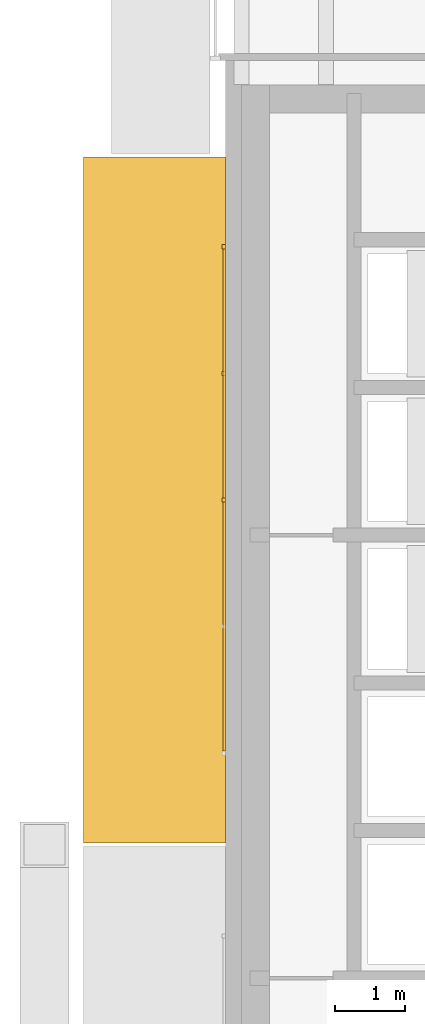
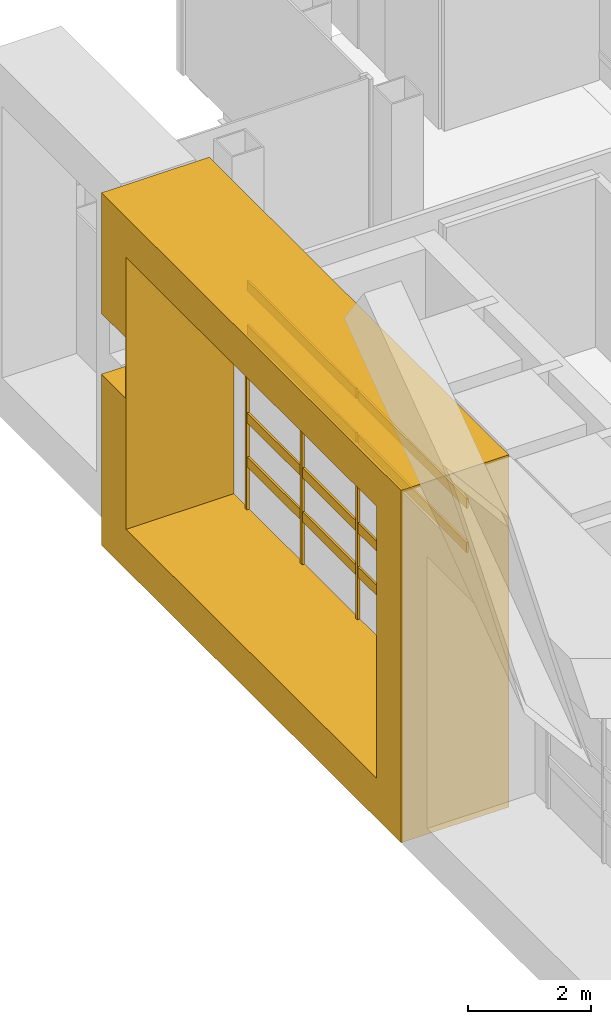
# One storey, part 17 of 21: 12 coverings.
"""IFC4 building model written with IfcOpenShell, lengths in metres."""

from ifc_helpers import new_model, si_unit, direction, frame, origin, origin_2d, place, context, subcontext, project, spatial, polyline, rectangle, outline, extrude, material, type_object, element, save


model = new_model("IFC4")

# Units and contexts
model_context = context("Model", 3, precision=1e-05, world=origin(), true_north=direction((0.0, 1.0)))
body_context = subcontext(model_context, "Body", "Model", "MODEL_VIEW")
ifc_project = project(units=[si_unit("LENGTHUNIT", "METRE"), si_unit("AREAUNIT", "SQUARE_METRE"), si_unit("VOLUMEUNIT", "CUBIC_METRE"), si_unit("PLANEANGLEUNIT", "RADIAN"), si_unit("MASSUNIT", "GRAM", prefix="KILO")], contexts=[model_context])

# Site, building, storey
site_placement = place(None, origin())
site = spatial("IfcSite", under=ifc_project, at=site_placement, CompositionType="ELEMENT")
building_placement = place(site_placement, origin())
building = spatial("IfcBuilding", under=site, at=building_placement, Name="Cobrizo Arcos Hotel Tower", CompositionType="ELEMENT")
storey_placement = place(building_placement, frame((0.0, 0.0, 276.0)))
storey = spatial("IfcBuildingStorey", under=building, at=storey_placement, Name="L73", CompositionType="ELEMENT", Elevation=276.0)

# Coverings
ifc_material_1 = material(Name="Aluminium 6063-T6 anodised bronze", Category="aluminium")
covering_type_1 = type_object("IfcCoveringType", Name="FIN-F 2025", PredefinedType="CLADDING", material=ifc_material_1)
covering_placement = place(storey_placement, frame((-20.625, 9.77490234375, 0.0), z_axis=(-1.0, 0.0, 0.0), x_axis=(0.0, -1.0, 0.0)))
element("IfcCovering", 1, at=covering_placement, inside=storey, type_object=covering_type_1, Name="Fin frame 444", PredefinedType="CLADDING", context=body_context, shape_type="SweptSolid", body=[
    extrude(outline(polyline([(0.0, 7.0), (0.0, 4.60205078125), (0.777099609375, 4.60205078125), (0.777099609375, 3.39794921875), (0.0, 3.39794921875), (0.0, 0.0), (9.75, 0.0), (9.75, 7.0), (0.0, 7.0)]), holes=[polyline([(8.949951171875, 0.800048828125), (0.800048828125, 0.800048828125), (0.800048828125, 6.199951171875), (8.949951171875, 6.199951171875), (8.949951171875, 0.800048828125)])]), origin(), (0.0, 0.0, 1.0), 2.02490234375),
])
ifc_material_2 = material(Name="Aluminium 6063-T6 anodised pale", Category="aluminium")
covering_type_2 = type_object("IfcCoveringType", Name="RS-2 rainscreen rib 60x50", PredefinedType="CLADDING", material=ifc_material_2)
for number, where, z_axis, x_axis, name in (
    (2, (-20.64990234375, 8.5, 0.800048828125), (0.0, 0.0, 1.0), (0.0, -1.0, 0.0), "Rainscreen rib 361"),
    (3, (-20.64990234375, 6.699951171875, 0.800048828125), (0.0, 0.0, 1.0), (0.0, -1.0, 0.0), "Rainscreen rib 362"),
    (4, (-20.64990234375, 4.89990234375, 0.800048828125), (0.0, 0.0, 1.0), (0.0, -1.0, 0.0), "Rainscreen rib 363"),
):
    element("IfcCovering", number, at=place(storey_placement, frame(where, z_axis=z_axis, x_axis=x_axis)), inside=storey, type_object=covering_type_2, Name=name, PredefinedType="CLADDING", context=body_context, shape_type="SweptSolid", body=[
        extrude(rectangle(XDim=0.06005859375, YDim=0.050048828125, at=origin_2d()), origin(), (0.0, 0.0, 1.0), 5.39990234375),
    ])
covering_type_3 = type_object("IfcCoveringType", Name="RS-3 rainscreen louvre slat 200x40", PredefinedType="CLADDING", material=ifc_material_2)
for number, where, z_axis, x_axis, name in (
    (5, (-20.64501953125, 6.699951171875, 1.64990234375), (0.0, 0.0, 1.0), (0.0, -1.0, 0.0), "Rainscreen slat 245"),
    (6, (-20.64501953125, 6.699951171875, 2.52490234375), (0.0, 0.0, 1.0), (0.0, -1.0, 0.0), "Rainscreen slat 246"),
    (7, (-20.64501953125, 3.10009765625, 1.64990234375), (0.0, 0.0, 1.0), (0.0, -1.0, 0.0), "Rainscreen slat 247"),
    (8, (-20.64501953125, 3.10009765625, 2.52490234375), (0.0, 0.0, 1.0), (0.0, -1.0, 0.0), "Rainscreen slat 248"),
    (9, (-20.64501953125, 6.699951171875, 4.27490234375), (0.0, 0.0, 1.0), (0.0, -1.0, 0.0), "Rainscreen slat 249"),
    (10, (-20.64501953125, 6.699951171875, 5.14990234375), (0.0, 0.0, 1.0), (0.0, -1.0, 0.0), "Rainscreen slat 250"),
    (11, (-20.64501953125, 3.10009765625, 4.27490234375), (0.0, 0.0, 1.0), (0.0, -1.0, 0.0), "Rainscreen slat 251"),
    (12, (-20.64501953125, 3.10009765625, 5.14990234375), (0.0, 0.0, 1.0), (0.0, -1.0, 0.0), "Rainscreen slat 252"),
):
    element("IfcCovering", number, at=place(storey_placement, frame(where, z_axis=z_axis, x_axis=x_axis)), inside=storey, type_object=covering_type_3, Name=name, PredefinedType="CLADDING", context=body_context, shape_type="SweptSolid", body=[
        extrude(rectangle(XDim=3.5400390625, YDim=0.0400390625, at=origin_2d()), origin(), (0.0, 0.0, 1.0), 0.199951171875),
    ])

save(model, "model.ifc")
